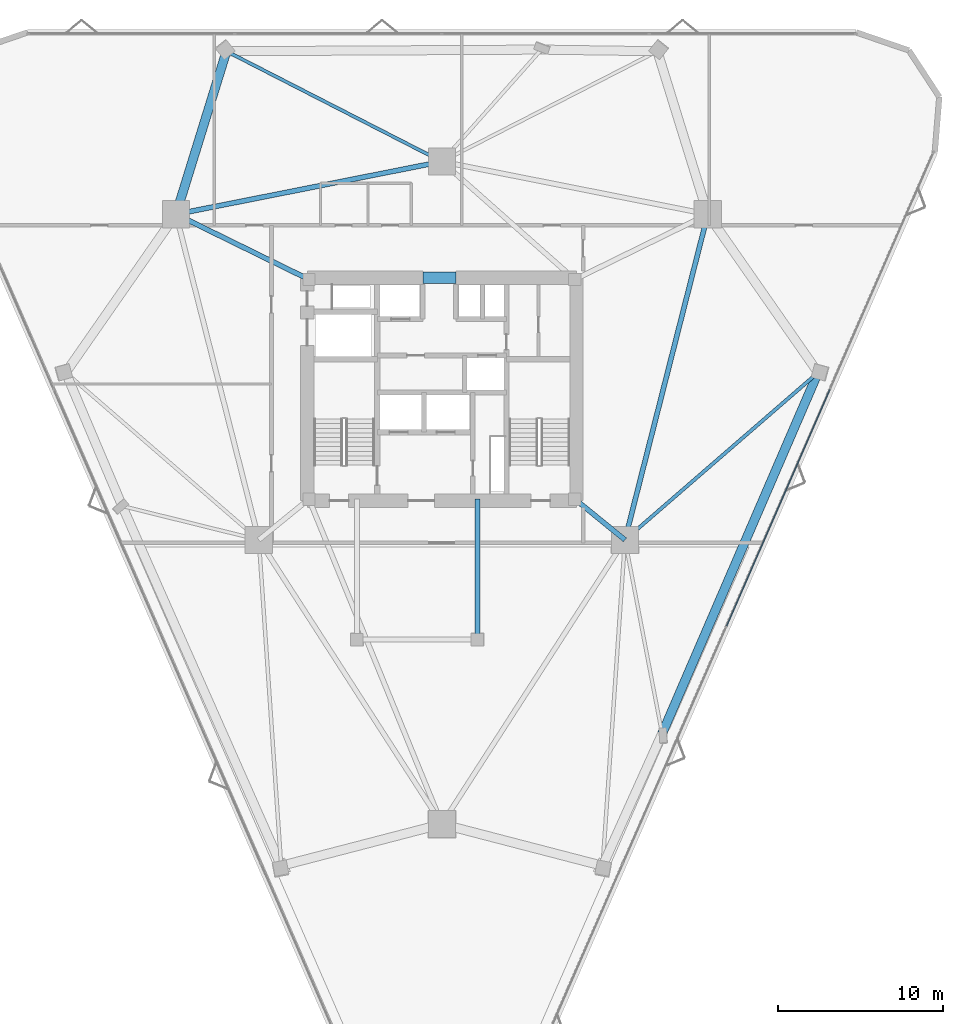
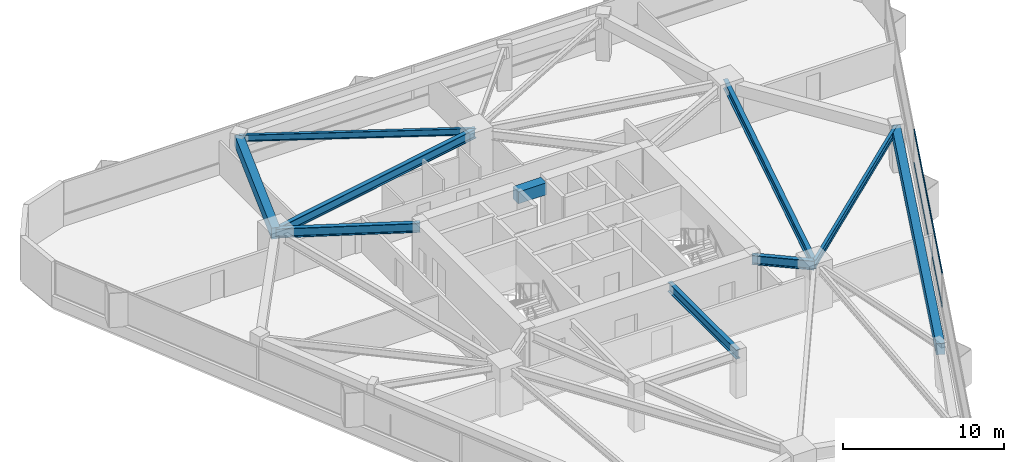
# One storey, part 5 of 15: 10 beams, 2 members, 1 element without a shape of its own.
"""IFC4 building model written with IfcOpenShell, lengths in metres."""

from ifc_helpers import new_model, si_unit, direction, frame, origin, origin_2d, place, context, subcontext, project, spatial, rectangle, i_section, extrude, material, layer, layer_set, material_profile, profile_set, type_object, element, aggregate, save


model = new_model("IFC4")

# Units and contexts
model_context = context("Model", 3, precision=1e-05, world=origin(), true_north=direction((0.0, 1.0)))
body_context = subcontext(model_context, "Body", "Model", "MODEL_VIEW")
ifc_project = project(units=[si_unit("LENGTHUNIT", "METRE"), si_unit("AREAUNIT", "SQUARE_METRE"), si_unit("VOLUMEUNIT", "CUBIC_METRE"), si_unit("PLANEANGLEUNIT", "RADIAN"), si_unit("MASSUNIT", "GRAM", prefix="KILO")], contexts=[model_context])

# Site, building, storey
site_placement = place(None, origin())
site = spatial("IfcSite", under=ifc_project, at=site_placement, CompositionType="ELEMENT")
building_placement = place(site_placement, origin())
building = spatial("IfcBuilding", under=site, at=building_placement, Name="Talyreon Biosciences Tower", CompositionType="ELEMENT")
storey_placement = place(building_placement, frame((0.0, 0.0, 111.5)))
storey = spatial("IfcBuildingStorey", under=building, at=storey_placement, Name="L29", CompositionType="ELEMENT", Elevation=111.5)

# Curtain wall, members
ifc_material_1 = material(Name="Thermally broken aluminium and low-E glazing", Category="aluminium")
ifc_layer = layer(ifc_material_1, 0.18994140625)
ifc_layer_set = layer_set([ifc_layer], Name="Thermally broken aluminium and low-E glazing")
curtain_wall_type = type_object("IfcCurtainWallType", Name="CurtainWall_Zone2Genomics", PredefinedType="NOTDEFINED", material=ifc_layer_set)
curtain_wall_placement = place(storey_placement, origin())
curtain_wall = element("IfcCurtainWall", 1, at=curtain_wall_placement, inside=storey, type_object=curtain_wall_type, Name="L29 Unitised Curtain Wall FCW-L29-08", PredefinedType="NOTDEFINED")
ifc_material_2 = material(Name="Anodised thermally broken aluminium", Category="aluminium")
ifc_material_profile_1 = material_profile(ifc_material_2, rectangle(XDim=0.06494140625, YDim=0.139892578125, at=origin_2d()), Name="ALUM TRANSOM 65x140")
ifc_profile_set_1 = profile_set([ifc_material_profile_1], Name="Anodised thermally broken aluminium")
member_type = type_object("IfcMemberType", Name="CWTransom_65x140", PredefinedType="USERDEFINED", material=ifc_profile_set_1)
member_1_placement = place(storey_placement, frame((89.495361328125, 67.979248046875, 0.842529296875), z_axis=(-0.400225422207, -0.916416723668, 0.0), x_axis=(0.916416723668, -0.400225422207, 0.0)))
member_1 = element("IfcMember", 2, at=member_1_placement, type_object=member_type, Name="CW3 transom 2.1", ObjectType="TRANSOM", PredefinedType="USERDEFINED", context=body_context, shape_type="SweptSolid", body=[
    extrude(rectangle(XDim=0.06494140625, YDim=0.139892578125, at=origin_2d()), origin(), (0.0, 0.0, 1.0), 15.6064453125),
])
member_2_placement = place(storey_placement, frame((89.495361328125, 67.979248046875, 3.342529296875), z_axis=(-0.400225422207, -0.916416723668, 0.0), x_axis=(0.916416723668, -0.400225422207, 0.0)))
member_2 = element("IfcMember", 3, at=member_2_placement, type_object=member_type, Name="CW3 transom 2.2", ObjectType="TRANSOM", PredefinedType="USERDEFINED", context=body_context, shape_type="SweptSolid", body=[
    extrude(rectangle(XDim=0.06494140625, YDim=0.139892578125, at=origin_2d()), origin(), (0.0, 0.0, 1.0), 15.6064453125),
])
aggregate(curtain_wall, [member_1, member_2])

# Beams
ifc_material_3 = material(Name="Concrete C60/75", Category="concrete")
ifc_material_profile_2 = material_profile(ifc_material_3, rectangle(XDim=0.699951171875, YDim=0.89990234375, at=origin_2d()), Name="RCB 700x900")
ifc_profile_set_2 = profile_set([ifc_material_profile_2], Name="Concrete C60/75")
beam_type_1 = type_object("IfcBeamType", Name="CoreCouplingLintel_700x900", PredefinedType="LINTEL", material=ifc_profile_set_2)
beam_1_placement = place(storey_placement, frame((64.85009765625, 74.75, 2.925048828125), z_axis=(1.0, 0.0, 0.0), x_axis=(0.0, 1.0, 0.0)))
element("IfcBeam", 4, at=beam_1_placement, inside=storey, type_object=beam_type_1, Name="L29 Core Coupling Lintel", PredefinedType="LINTEL", context=body_context, shape_type="SweptSolid", body=[
    extrude(rectangle(XDim=0.699951171875, YDim=0.89990234375, at=origin_2d()), origin(), (0.0, 0.0, 1.0), 2.0),
])
ifc_material_4 = material(Name="Precast concrete C45/55", Category="concrete")
ifc_material_profile_3 = material_profile(ifc_material_4, rectangle(XDim=0.550048828125, YDim=0.85009765625, at=origin_2d()), Name="RCB 550x850")
ifc_profile_set_3 = profile_set([ifc_material_profile_3], Name="Precast concrete C45/55")
beam_type_2 = type_object("IfcBeamType", Name="ExpressedSpandrel_550x850", PredefinedType="SPANDREL", material=ifc_profile_set_3)
beam_2_placement = place(storey_placement, frame((79.3369140625, 47.142333984375, 2.949951171875), z_axis=(0.396375743108, 0.918088378249, 0.0), x_axis=(-0.918088378249, 0.396375743108, 0.0)))
element("IfcBeam", 5, at=beam_2_placement, inside=storey, type_object=beam_type_2, Name="L29 Expressed Horizontal Concrete Spandrel 03", PredefinedType="SPANDREL", context=body_context, shape_type="SweptSolid", body=[
    extrude(rectangle(XDim=0.550048828125, YDim=0.85009765625, at=origin_2d()), origin(), (0.0, 0.0, 1.0), 23.820556640625),
])
beam_3_placement = place(storey_placement, frame((52.9541015625, 88.4697265625, 2.949951171875), z_axis=(-0.295777156112, -0.955256967482, 0.0), x_axis=(0.955256967482, -0.295777156112, 0.0)))
element("IfcBeam", 6, at=beam_3_placement, inside=storey, type_object=beam_type_2, Name="L29 Expressed Horizontal Concrete Spandrel 08", PredefinedType="SPANDREL", context=body_context, shape_type="SweptSolid", body=[
    extrude(rectangle(XDim=0.550048828125, YDim=0.85009765625, at=origin_2d()), origin(), (0.0, 0.0, 1.0), 10.33349609375),
])
ifc_material_5 = material(Name="Steel SM355", Category="steel")
ifc_material_profile_4 = material_profile(ifc_material_5, i_section(OverallWidth=0.300048828125, OverallDepth=0.699951171875, WebThickness=0.01708984375, FlangeThickness=0.031982421875, FilletRadius=0.027099609375, at=origin_2d()), Name="HE700B")
ifc_profile_set_4 = profile_set([ifc_material_profile_4], Name="Steel SM355")
beam_type_3 = type_object("IfcBeamType", Name="SteelGirder_HE700B", PredefinedType="BEAM", material=ifc_profile_set_4)
beam_4_placement = place(storey_placement, frame((77.086181640625, 58.88037109375, 3.02490234375), z_axis=(0.246537082299, 0.969133358755, 0.0), x_axis=(-0.969133358755, 0.246537082299, 0.0)))
element("IfcBeam", 7, at=beam_4_placement, inside=storey, type_object=beam_type_3, Name="L29 Mega-Ring Girder 2", PredefinedType="BEAM", context=body_context, shape_type="SweptSolid", body=[
    extrude(i_section(OverallWidth=0.300048828125, OverallDepth=0.699951171875, WebThickness=0.01708984375, FlangeThickness=0.031982421875, FilletRadius=0.027099609375, at=origin_2d()), origin(), (0.0, 0.0, 1.0), 20.34619140625),
])
beam_5_placement = place(storey_placement, frame((66.0, 81.788818359375, 3.02490234375), z_axis=(-0.980933730698, -0.194342522311, 0.0), x_axis=(0.194342522311, -0.980933730698, 0.0)))
element("IfcBeam", 8, at=beam_5_placement, inside=storey, type_object=beam_type_3, Name="L29 Mega-Ring Girder 4", PredefinedType="BEAM", context=body_context, shape_type="SweptSolid", body=[
    extrude(i_section(OverallWidth=0.300048828125, OverallDepth=0.699951171875, WebThickness=0.01708984375, FlangeThickness=0.031982421875, FilletRadius=0.027099609375, at=origin_2d()), origin(), (0.0, 0.0, 1.0), 16.415283203125),
])
beam_6_placement = place(storey_placement, frame((74.050048828125, 61.35009765625, 3.02490234375), z_axis=(0.775755154013, -0.631034025249, 0.0), x_axis=(0.631034025249, 0.775755154013, 0.0)))
element("IfcBeam", 9, at=beam_6_placement, inside=storey, type_object=beam_type_3, Name="L29 Radial Primary Girder 2", PredefinedType="BEAM", context=body_context, shape_type="SweptSolid", body=[
    extrude(i_section(OverallWidth=0.300048828125, OverallDepth=0.699951171875, WebThickness=0.01708984375, FlangeThickness=0.031982421875, FilletRadius=0.027099609375, at=origin_2d()), origin(), (0.0, 0.0, 1.0), 3.913818359375),
])
beam_7_placement = place(storey_placement, frame((57.949951171875, 74.64990234375, 3.02490234375), z_axis=(-0.897852360314, 0.440296648952, 0.0), x_axis=(-0.440296648952, -0.897852360314, 0.0)))
element("IfcBeam", 10, at=beam_7_placement, inside=storey, type_object=beam_type_3, Name="L29 Radial Primary Girder 5", PredefinedType="BEAM", context=body_context, shape_type="SweptSolid", body=[
    extrude(i_section(OverallWidth=0.300048828125, OverallDepth=0.699951171875, WebThickness=0.01708984375, FlangeThickness=0.031982421875, FilletRadius=0.027099609375, at=origin_2d()), origin(), (0.0, 0.0, 1.0), 8.96826171875),
])
beam_8_placement = place(storey_placement, frame((68.14990234375, 52.840087890625, 3.02490234375), z_axis=(0.0, 1.0, 0.0), x_axis=(-1.0, 0.0, 0.0)))
element("IfcBeam", 11, at=beam_8_placement, inside=storey, type_object=beam_type_3, Name="L29 Crown Shaft Tie Girder E", PredefinedType="BEAM", context=body_context, shape_type="SweptSolid", body=[
    extrude(i_section(OverallWidth=0.300048828125, OverallDepth=0.699951171875, WebThickness=0.01708984375, FlangeThickness=0.031982421875, FilletRadius=0.027099609375, at=origin_2d()), origin(), (0.0, 0.0, 1.0), 8.510009765625),
])
ifc_material_profile_5 = material_profile(ifc_material_5, i_section(OverallWidth=0.199951171875, OverallDepth=0.5, WebThickness=0.01025390625, FlangeThickness=0.01611328125, FilletRadius=0.02099609375, at=origin_2d()), Name="IPE500")
ifc_profile_set_5 = profile_set([ifc_material_profile_5], Name="Steel SM355")
beam_type_4 = type_object("IfcBeamType", Name="SteelJoist_IPE500", PredefinedType="JOIST", material=ifc_profile_set_5)
beam_9_placement = place(storey_placement, frame((66.0, 81.788818359375, 3.125), z_axis=(-0.890074847458, 0.455814398546, 0.0), x_axis=(-0.455814398546, -0.890074847458, 0.0)))
element("IfcBeam", 12, at=beam_9_placement, inside=storey, type_object=beam_type_4, Name="L29 Radial Composite Floor Joist PC-N2", PredefinedType="JOIST", context=body_context, shape_type="SweptSolid", body=[
    extrude(i_section(OverallWidth=0.199951171875, OverallDepth=0.5, WebThickness=0.01025390625, FlangeThickness=0.01611328125, FilletRadius=0.02099609375, at=origin_2d()), origin(), (0.0, 0.0, 1.0), 14.656982421875),
])
ifc_material_profile_6 = material_profile(ifc_material_5, i_section(OverallWidth=0.2099609375, OverallDepth=0.550048828125, WebThickness=0.010986328125, FlangeThickness=0.01708984375, FilletRadius=0.02392578125, at=origin_2d()), Name="IPE550")
ifc_profile_set_6 = profile_set([ifc_material_profile_6], Name="Steel SM355")
beam_type_5 = type_object("IfcBeamType", Name="SteelJoist_IPE550", PredefinedType="JOIST", material=ifc_profile_set_6)
beam_10_placement = place(storey_placement, frame((77.086181640625, 58.88037109375, 3.10009765625), z_axis=(0.755761450851, 0.654847027486, 0.0), x_axis=(-0.654847027486, 0.755761450851, 0.0)))
element("IfcBeam", 13, at=beam_10_placement, inside=storey, type_object=beam_type_5, Name="L29 Radial Composite Floor Joist PC-SE2", PredefinedType="JOIST", context=body_context, shape_type="SweptSolid", body=[
    extrude(i_section(OverallWidth=0.2099609375, OverallDepth=0.550048828125, WebThickness=0.010986328125, FlangeThickness=0.01708984375, FilletRadius=0.02392578125, at=origin_2d()), origin(), (0.0, 0.0, 1.0), 15.471435546875),
])

save(model, "model.ifc")
